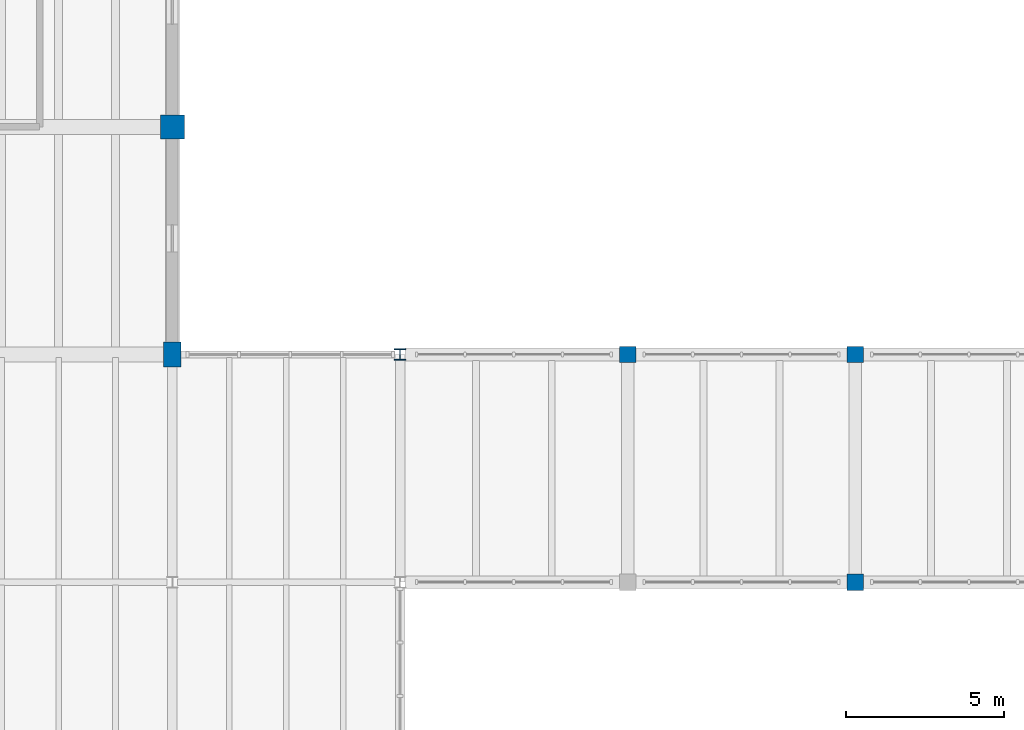
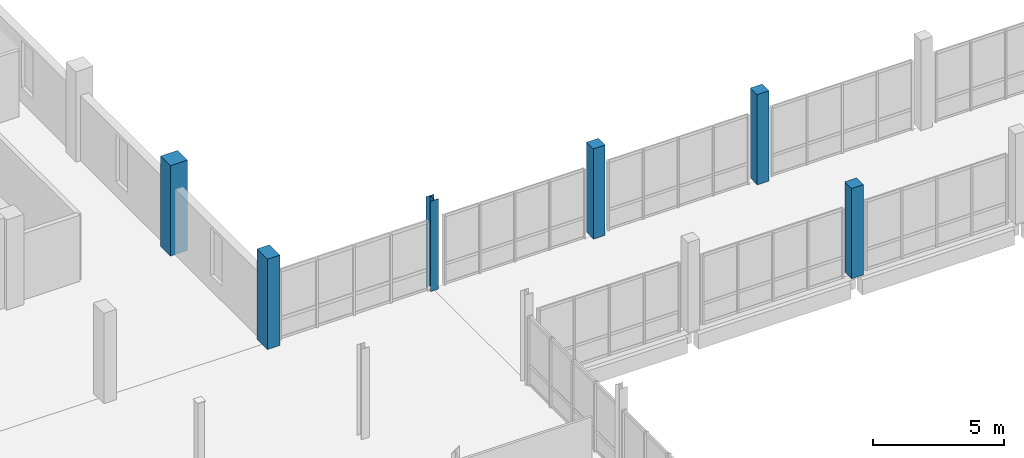
# One storey, part 14 of 72: 6 columns.
"""IFC4 building model written with IfcOpenShell, lengths in metres."""

from ifc_helpers import new_model, si_unit, direction, frame, origin, origin_2d, place, context, subcontext, project, spatial, rectangle, i_section, extrude, material, material_profile, profile_set, type_object, element, save


model = new_model("IFC4")

# Units and contexts
model_context = context("Model", 3, precision=1e-05, world=origin(), true_north=direction((0.0, 1.0)))
body_context = subcontext(model_context, "Body", "Model", "MODEL_VIEW")
ifc_project = project(units=[si_unit("LENGTHUNIT", "METRE"), si_unit("AREAUNIT", "SQUARE_METRE"), si_unit("VOLUMEUNIT", "CUBIC_METRE"), si_unit("PLANEANGLEUNIT", "RADIAN"), si_unit("MASSUNIT", "GRAM", prefix="KILO")], contexts=[model_context])

# Site, building, storey
site_placement = place(None, origin())
site = spatial("IfcSite", under=ifc_project, at=site_placement, CompositionType="ELEMENT")
building_placement = place(site_placement, origin())
building = spatial("IfcBuilding", under=site, at=building_placement, Name="Qiaolan Assembly House", CompositionType="ELEMENT")
storey_placement = place(building_placement, frame((0.0, 0.0, 10.199951171875)))
storey = spatial("IfcBuildingStorey", under=building, at=storey_placement, Name="L02", CompositionType="ELEMENT", Elevation=10.199951171875)

# Columns
ifc_material_1 = material(Name="Concrete C45/55", Category="concrete")
ifc_material_profile_1 = material_profile(ifc_material_1, rectangle(XDim=0.75, YDim=0.75, at=origin_2d()), Name="RC 750x750")
ifc_profile_set_1 = profile_set([ifc_material_profile_1], Name="Concrete C45/55")
column_type_1 = type_object("IfcColumnType", Name="COL-RC-750", PredefinedType="COLUMN", material=ifc_profile_set_1)
column_1_placement = place(storey_placement, frame((100.800048828125, 93.60009765625, 0.0), z_axis=(0.0, 0.0, 1.0), x_axis=(1.0, 0.0, 0.0)))
element("IfcColumn", 1, at=column_1_placement, inside=storey, type_object=column_type_1, Name="RC-06 column NW L02", PredefinedType="COLUMN", context=body_context, shape_type="SweptSolid", body=[
    extrude(rectangle(XDim=0.75, YDim=0.75, at=origin_2d()), origin(), (0.0, 0.0, 1.0), 4.199951171875),
])
ifc_material_profile_2 = material_profile(ifc_material_1, rectangle(XDim=0.550048828125, YDim=0.800048828125, at=origin_2d()), Name="RC 800x550")
ifc_profile_set_2 = profile_set([ifc_material_profile_2], Name="Concrete C45/55")
column_type_2 = type_object("IfcColumnType", Name="COL-RC-800x550", PredefinedType="COLUMN", material=ifc_profile_set_2)
column_2_placement = place(storey_placement, frame((100.800048828125, 86.39990234375, 0.0), z_axis=(0.0, 0.0, 1.0), x_axis=(1.0, 0.0, 0.0)))
element("IfcColumn", 2, at=column_2_placement, inside=storey, type_object=column_type_2, Name="RC-14 column NW L02", PredefinedType="COLUMN", context=body_context, shape_type="SweptSolid", body=[
    extrude(rectangle(XDim=0.550048828125, YDim=0.800048828125, at=origin_2d()), origin(), (0.0, 0.0, 1.0), 4.199951171875),
])
ifc_material_2 = material(Name="Steel Q355B", Category="steel")
ifc_material_profile_3 = material_profile(ifc_material_2, i_section(OverallWidth=0.35009765625, OverallDepth=0.35009765625, WebThickness=0.011962890625, FlangeThickness=0.01904296875, FilletRadius=0.02001953125, at=origin_2d()), Name="HW 350x350x12x19")
ifc_profile_set_3 = profile_set([ifc_material_profile_3], Name="Steel Q355B")
column_type_3 = type_object("IfcColumnType", Name="COL-STL-HW350", PredefinedType="COLUMN", material=ifc_profile_set_3)
column_3_placement = place(storey_placement, frame((108.0, 86.39990234375, 0.0), z_axis=(0.0, 0.0, 1.0), x_axis=(1.0, 0.0, 0.0)))
element("IfcColumn", 3, at=column_3_placement, inside=storey, type_object=column_type_3, Name="SC-02 hall column L02", PredefinedType="COLUMN", context=body_context, shape_type="SweptSolid", body=[
    extrude(i_section(OverallWidth=0.35009765625, OverallDepth=0.35009765625, WebThickness=0.011962890625, FlangeThickness=0.01904296875, FilletRadius=0.02001953125, at=origin_2d()), origin(), (0.0, 0.0, 1.0), 4.199951171875),
])
ifc_material_3 = material(Name="Precast concrete C45/55", Category="concrete")
ifc_material_profile_4 = material_profile(ifc_material_3, rectangle(XDim=0.52001953125, YDim=0.52001953125, at=origin_2d()), Name="PIL 520x520")
ifc_profile_set_4 = profile_set([ifc_material_profile_4], Name="Precast concrete C45/55")
column_type_4 = type_object("IfcColumnType", Name="PIL-CLOISTER-520", PredefinedType="PILASTER", material=ifc_profile_set_4)
for number, where, z_axis, x_axis, name in (
    (4, (115.199951171875, 86.39990234375, 0.0), (0.0, 0.0, 1.0), (1.0, 0.0, 0.0), "PL-06 cloister pier L02"),
    (5, (122.39990234375, 79.199951171875, 0.0), (0.0, 0.0, 1.0), (1.0, 0.0, 0.0), "PL-06 cloister pier L02"),
    (6, (122.39990234375, 86.39990234375, 0.0), (0.0, 0.0, 1.0), (1.0, 0.0, 0.0), "PL-06 cloister pier L02"),
):
    element("IfcColumn", number, at=place(storey_placement, frame(where, z_axis=z_axis, x_axis=x_axis)), inside=storey, type_object=column_type_4, Name=name, PredefinedType="PILASTER", context=body_context, shape_type="SweptSolid", body=[
        extrude(rectangle(XDim=0.52001953125, YDim=0.52001953125, at=origin_2d()), origin(), (0.0, 0.0, 1.0), 4.199951171875),
    ])

save(model, "model.ifc")
